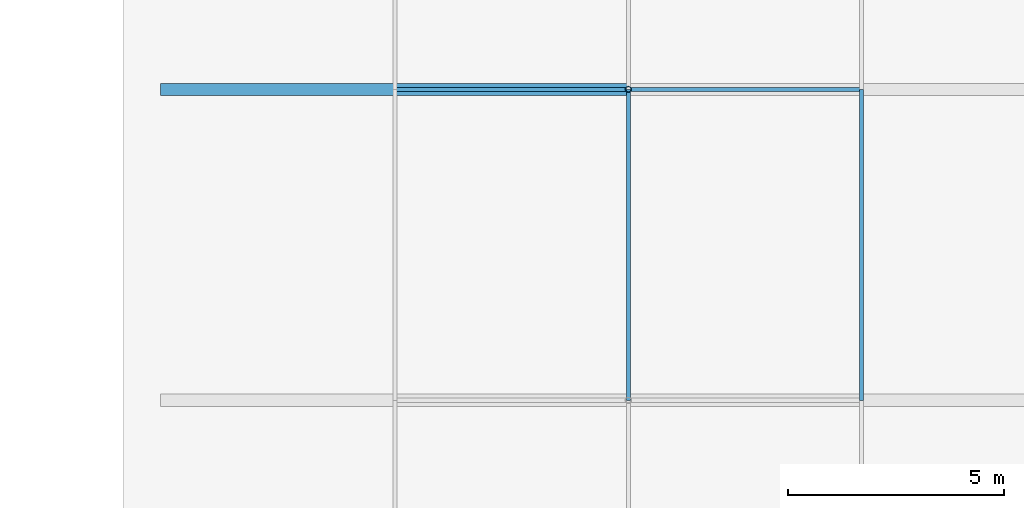
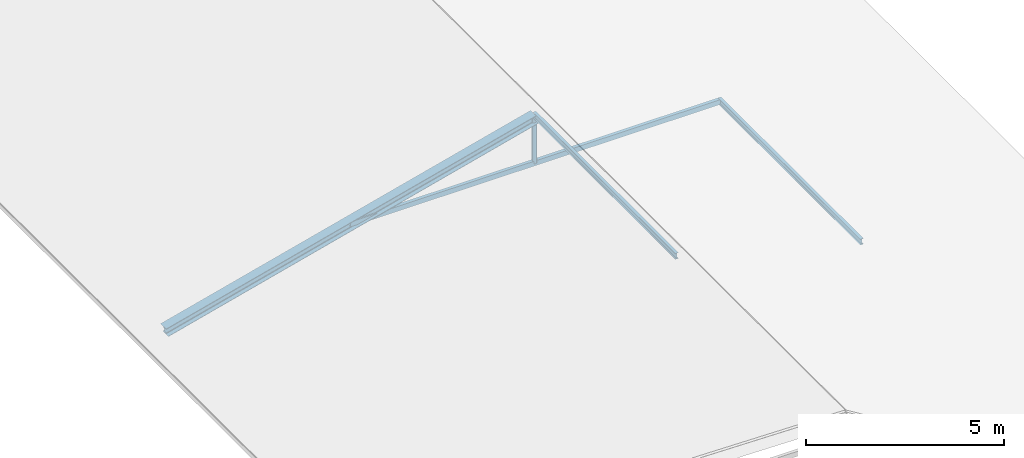
# One storey, part 13 of 40: 5 members.
"""IFC4 building model written with IfcOpenShell, lengths in metres."""

import ifcopenshell
import ifcopenshell.guid

model = None  # the IFC model being written
_history = None  # IfcOwnerHistory: only IFC2X3 demands one
_inside = {}  # id of a spatial element -> (the spatial element, [elements in it])
_under = {}  # id of a project, library or spatial element -> (it, [spatial elements below it])
_declared = {}  # id of a project -> (the project, [libraries it declares])
_typed = {}  # id of a type object -> (the type object, [elements of that type])
_made_of = {}  # id of a material, layer set ... -> (it, [elements and type objects made of it])


def new_model(schema):
    """Start an empty IFC model of exactly this schema.

    Asked for "IFC4X3", IfcOpenShell would pick the latest addendum, in which some entities
    have other attributes; the version numbers below select the first issue.
    IFC2X3 requires an IfcOwnerHistory on every rooted entity: one is made here for all.
    """
    global model, _history
    if schema == "IFC4X3":
        model = ifcopenshell.file(schema_version=(4, 3, 0, 0))
    else:
        model = ifcopenshell.file(schema=schema)
    _inside.clear()
    _under.clear()
    _declared.clear()
    _typed.clear()
    _made_of.clear()
    _history = None
    if model.schema == "IFC2X3":
        org = make("IfcOrganization", Name="unknown")
        user = make(
            "IfcPersonAndOrganization",
            ThePerson=make("IfcPerson", FamilyName="unknown"),
            TheOrganization=org,
        )
        app = make(
            "IfcApplication",
            ApplicationDeveloper=org,
            Version="unknown",
            ApplicationFullName="unknown",
            ApplicationIdentifier="unknown",
        )
        _history = make(
            "IfcOwnerHistory",
            OwningUser=user,
            OwningApplication=app,
            ChangeAction="ADDED",
            CreationDate=0,
        )
    return model


def make(cls, **values):
    """One entity of the class cls with the attributes given. An attribute that is None is left unset."""
    return model.create_entity(
        cls, **{name: value for name, value in values.items() if value is not None}
    )


def rooted(cls, **values):
    """An entity with a GlobalId (a new one), such as an element, a storey or a relation."""
    return make(cls, GlobalId=ifcopenshell.guid.new(), OwnerHistory=_history, **values)


def si_unit(unit_type, name, prefix=None):
    """IfcSIUnit, for example si_unit("LENGTHUNIT", "METRE", prefix="MILLI")."""
    return make("IfcSIUnit", UnitType=unit_type, Prefix=prefix, Name=name)


def assignment(units):
    """IfcUnitAssignment: the units of a project."""
    return None if units is None else make("IfcUnitAssignment", Units=units)


def point(xyz):
    """IfcCartesianPoint."""
    return None if xyz is None else make("IfcCartesianPoint", Coordinates=xyz)


def direction(xyz):
    """IfcDirection."""
    return None if xyz is None else make("IfcDirection", DirectionRatios=xyz)


def frame(location, z_axis=None, x_axis=None):
    """IfcAxis2Placement3D, a coordinate frame: its origin and axes. An axis left out is left unset."""
    return make(
        "IfcAxis2Placement3D",
        Location=point(location),
        Axis=direction(z_axis),
        RefDirection=direction(x_axis),
    )


def frame_2d(location, x_axis=None):
    """IfcAxis2Placement2D, a coordinate frame in the plane: its origin and x axis."""
    return make(
        "IfcAxis2Placement2D", Location=point(location), RefDirection=direction(x_axis)
    )


def origin():
    """The frame at (0, 0, 0) with its axes left unset."""
    return frame((0.0, 0.0, 0.0))


def origin_2d():
    """The frame at (0, 0) in the plane with its x axis left unset."""
    return frame_2d((0.0, 0.0))


def place(relative_to, where):
    """IfcLocalPlacement: puts the frame where relative to a parent placement (None: the world)."""
    return make(
        "IfcLocalPlacement", PlacementRelTo=relative_to, RelativePlacement=where
    )


def context(
    kind, dimensions, precision=None, world=None, true_north=None, identifier=None
):
    """IfcGeometricRepresentationContext, for example the 3D "Model" context."""
    return make(
        "IfcGeometricRepresentationContext",
        ContextIdentifier=identifier,
        ContextType=kind,
        CoordinateSpaceDimension=dimensions,
        Precision=precision,
        WorldCoordinateSystem=world,
        TrueNorth=true_north,
    )


def subcontext(parent, identifier, kind, view, scale=None):
    """IfcGeometricRepresentationSubContext, for example "Body" below "Model"."""
    return make(
        "IfcGeometricRepresentationSubContext",
        ContextIdentifier=identifier,
        ContextType=kind,
        ParentContext=parent,
        TargetScale=scale,
        TargetView=view,
    )


def project(units=None, contexts=None):
    """IfcProject with its units and contexts."""
    return rooted(
        "IfcProject",
        Name="project",
        RepresentationContexts=contexts,
        UnitsInContext=assignment(units),
    )


def spatial(cls, under=None, at=None, **own):
    """A site, building, storey or space (cls), placed at a placement, below another one or the project."""
    s = rooted(cls, ObjectPlacement=at, **own)
    if under is not None:
        _under.setdefault(under.id(), (under, []))[1].append(s)
    return s


def profile(cls, at=None, kind="AREA", **sizes):
    """A parametric profile (cls). Its sizes go by their IFC names, for example OverallWidth=200.0."""
    return make(cls, ProfileType=kind, Position=at, **sizes)


def hollow_rectangle(**sizes):
    """IfcRectangleHollowProfileDef."""
    return profile("IfcRectangleHollowProfileDef", **sizes)


def hollow_circle(**sizes):
    """IfcCircleHollowProfileDef."""
    return profile("IfcCircleHollowProfileDef", **sizes)


def i_section(**sizes):
    """IfcIShapeProfileDef."""
    return profile("IfcIShapeProfileDef", **sizes)


def extrude(swept, where, along, depth):
    """IfcExtrudedAreaSolid: the profile swept, set in the frame where, extruded along a direction by depth."""
    return make(
        "IfcExtrudedAreaSolid",
        SweptArea=swept,
        Position=where,
        ExtrudedDirection=direction(along),
        Depth=depth,
    )


def shape(context_of_items, identifier, shape_type, items):
    """IfcShapeRepresentation: the items that make up one representation, for example the "Body"."""
    return make(
        "IfcShapeRepresentation",
        ContextOfItems=context_of_items,
        RepresentationIdentifier=identifier,
        RepresentationType=shape_type,
        Items=items,
    )


def material(Name=None, Category=None):
    """IfcMaterial."""
    return make("IfcMaterial", Name=Name, Category=Category)


def material_profile(
    of_material, cross_section, Name=None, Category=None, Priority=None
):
    """IfcMaterialProfile: a cross section and its material."""
    return make(
        "IfcMaterialProfile",
        Name=Name,
        Material=of_material,
        Profile=cross_section,
        Priority=Priority,
        Category=Category,
    )


def profile_set(profiles, Name=None, composite=None):
    """IfcMaterialProfileSet."""
    return make(
        "IfcMaterialProfileSet",
        Name=Name,
        MaterialProfiles=profiles,
        CompositeProfile=composite,
    )


def made_of(thing, what):
    """Note that an element or type object is made of a material, layer set ...; save() writes the relation."""
    if what is not None:
        _made_of.setdefault(what.id(), (what, []))[1].append(thing)
    return thing


def type_object(cls, material=None, **own):
    """A type object (cls), such as IfcWallType, which elements share."""
    return made_of(rooted(cls, **own), material)


def element(
    cls,
    number,
    at=None,
    inside=None,
    cuts=None,
    type_object=None,
    material=None,
    context=None,
    identifier="Body",
    shape_type=None,
    held_by="IfcProductDefinitionShape",
    body=None,
    shapes=None,
    **own,
):
    """One element of the class cls, such as IfcWall. Its Tag is "e" and its number.

    at: its placement. inside: the storey or other place that contains it. cuts: it is an
    opening in that element (IfcRelVoidsElement). A single representation is given by context,
    identifier, shape_type and body (its items); several are given by shapes. held_by: the class
    of the entity that holds the representations. save() writes the other relations.
    """
    e = rooted(cls, Tag="e%d" % number, ObjectPlacement=at, **own)
    if body is not None:
        shapes = [shape(context, identifier, shape_type, body)]
    if shapes is not None:
        e.Representation = make(held_by, Representations=shapes)
    if inside is not None:
        _inside.setdefault(inside.id(), (inside, []))[1].append(e)
    if cuts is not None:
        rooted(
            "IfcRelVoidsElement", RelatingBuildingElement=cuts, RelatedOpeningElement=e
        )
    if type_object is not None:
        _typed.setdefault(type_object.id(), (type_object, []))[1].append(e)
    return made_of(e, material)


def aggregate(whole, parts):
    """IfcRelAggregates: a whole, such as a stair, and the parts it consists of."""
    return rooted("IfcRelAggregates", RelatingObject=whole, RelatedObjects=parts)


def save(model, path):
    """Write the relations noted so far, then the file.

    IfcRelAggregates (storeys below a building ...), IfcRelContainedInSpatialStructure (elements
    in a storey), IfcRelDefinesByType, IfcRelAssociatesMaterial and IfcRelDeclares: one each for
    every whole, place, type object, material and project.
    """
    for whole, parts in _under.values():
        aggregate(whole, parts)
    for where, things in _inside.values():
        rooted(
            "IfcRelContainedInSpatialStructure",
            RelatedElements=things,
            RelatingStructure=where,
        )
    for kind, things in _typed.values():
        rooted("IfcRelDefinesByType", RelatedObjects=things, RelatingType=kind)
    for what, things in _made_of.values():
        rooted("IfcRelAssociatesMaterial", RelatedObjects=things, RelatingMaterial=what)
    for by, libraries in _declared.values():
        rooted("IfcRelDeclares", RelatingContext=by, RelatedDefinitions=libraries)
    model.write(path)


model = new_model("IFC4")

# Units and contexts
model_context = context("Model", 3, precision=1e-05, world=origin(), true_north=direction((0.0, 1.0)))
body_context = subcontext(model_context, "Body", "Model", "MODEL_VIEW")
ifc_project = project(units=[si_unit("LENGTHUNIT", "METRE"), si_unit("AREAUNIT", "SQUARE_METRE"), si_unit("VOLUMEUNIT", "CUBIC_METRE"), si_unit("PLANEANGLEUNIT", "RADIAN"), si_unit("MASSUNIT", "GRAM", prefix="KILO"), si_unit("THERMODYNAMICTEMPERATUREUNIT", "KELVIN"), si_unit("POWERUNIT", "WATT")], contexts=[model_context])

# Site, building, storey
site_placement = place(None, origin())
site = spatial("IfcSite", under=ifc_project, at=site_placement, CompositionType="ELEMENT")
building_placement = place(site_placement, origin())
building = spatial("IfcBuilding", under=site, at=building_placement, Name="Tavuni Mirador Residences", CompositionType="ELEMENT")
storey_placement = place(building_placement, frame((0.0, 0.0, 36.0)))
storey = spatial("IfcBuildingStorey", under=building, at=storey_placement, Name="L11", CompositionType="ELEMENT", Elevation=36.0)

# Members
ifc_material = material(Name="Structural steel S355", Category="steel")
ifc_material_profile_1 = material_profile(ifc_material, hollow_circle(Radius=0.06982421875, WallThickness=0.008056640625, at=origin_2d()), Name="CHS 139.7x8.0", Category="steel")
ifc_profile_set_1 = profile_set([ifc_material_profile_1], Name="Structural steel S355")
member_type_1 = type_object("IfcMemberType", Name="MT-BR-CHS139", PredefinedType="BRACE", material=ifc_profile_set_1)
member_1_placement = place(storey_placement, frame((108.0, 108.0, 1.050048828125), z_axis=(0.0, 0.0, 1.0), x_axis=(1.0, 0.0, 0.0)))
element("IfcMember", 1, at=member_1_placement, inside=storey, type_object=member_type_1, Name="RKP-BLK-D-03", PredefinedType="BRACE", context=body_context, shape_type="SweptSolid", body=[
    extrude(hollow_circle(Radius=0.06982421875, WallThickness=0.008056640625, at=origin_2d()), origin(), (0.0, 0.0, 1.0), 1.39990234375),
])
ifc_material_profile_2 = material_profile(ifc_material, hollow_rectangle(XDim=0.10009765625, YDim=0.14990234375, WallThickness=0.008056640625, at=origin_2d()), Name="RHS 150x100x8.0", Category="steel")
ifc_profile_set_2 = profile_set([ifc_material_profile_2], Name="Structural steel S355")
member_type_2 = type_object("IfcMemberType", Name="MT-BR-RHS150", PredefinedType="BRACE", material=ifc_profile_set_2)
member_2_placement = place(storey_placement, frame((102.60009765625, 108.0, 1.050048828125), z_axis=(1.0, 0.0, 0.0), x_axis=(0.0, 1.0, 0.0)))
element("IfcMember", 2, at=member_2_placement, inside=storey, type_object=member_type_2, Name="RTIE-BLK-D-03", PredefinedType="BRACE", context=body_context, shape_type="SweptSolid", body=[
    extrude(hollow_rectangle(XDim=0.10009765625, YDim=0.14990234375, WallThickness=0.008056640625, at=origin_2d()), origin(), (0.0, 0.0, 1.0), 10.7998046875),
])
ifc_material_profile_3 = material_profile(ifc_material, i_section(OverallWidth=0.280029296875, OverallDepth=0.27001953125, WebThickness=0.008056640625, FlangeThickness=0.012939453125, FilletRadius=0.02392578125, at=origin_2d()), Name="HEA 280", Category="steel")
ifc_profile_set_3 = profile_set([ifc_material_profile_3], Name="Structural steel S355")
member_type_3 = type_object("IfcMemberType", Name="MT-CH-HEA280", PredefinedType="CHORD", material=ifc_profile_set_3)
member_3_placement = place(storey_placement, frame((97.199951171875, 108.0, -0.35009765625), z_axis=(0.967996110632, 0.0, 0.250965196393), x_axis=(0.0, 1.0, 0.0)))
element("IfcMember", 3, at=member_3_placement, inside=storey, type_object=member_type_3, Name="RAF-BLK-D-03-W", PredefinedType="CHORD", context=body_context, shape_type="SweptSolid", body=[
    extrude(i_section(OverallWidth=0.280029296875, OverallDepth=0.27001953125, WebThickness=0.008056640625, FlangeThickness=0.012939453125, FilletRadius=0.02392578125, at=origin_2d()), origin(), (0.0, 0.0, 1.0), 11.1572265625),
])
ifc_material_profile_4 = material_profile(ifc_material, i_section(OverallWidth=0.091064453125, OverallDepth=0.179931640625, WebThickness=0.00537109375, FlangeThickness=0.008056640625, FilletRadius=0.009033203125, at=origin_2d()), Name="IPE 180", Category="steel")
ifc_profile_set_4 = profile_set([ifc_material_profile_4], Name="Structural steel S355")
member_type_4 = type_object("IfcMemberType", Name="MT-PR-IPE180", PredefinedType="PURLIN", material=ifc_profile_set_4)
for number, where, z_axis, x_axis, name in (
    (4, (108.0, 100.800048828125, 2.52490234375), (0.0, 1.0, 0.0), (-1.0, 0.0, 0.0), "RPUR-BLK-D-50-02"),
    (5, (113.39990234375, 100.800048828125, 1.074951171875), (0.0, 1.0, 0.0), (-1.0, 0.0, 0.0), "RPUR-BLK-D-75-02"),
):
    element("IfcMember", number, at=place(storey_placement, frame(where, z_axis=z_axis, x_axis=x_axis)), inside=storey, type_object=member_type_4, Name=name, PredefinedType="PURLIN", context=body_context, shape_type="SweptSolid", body=[
        extrude(i_section(OverallWidth=0.091064453125, OverallDepth=0.179931640625, WebThickness=0.00537109375, FlangeThickness=0.008056640625, FilletRadius=0.009033203125, at=origin_2d()), origin(), (0.0, 0.0, 1.0), 7.199951171875),
    ])

save(model, "model.ifc")
